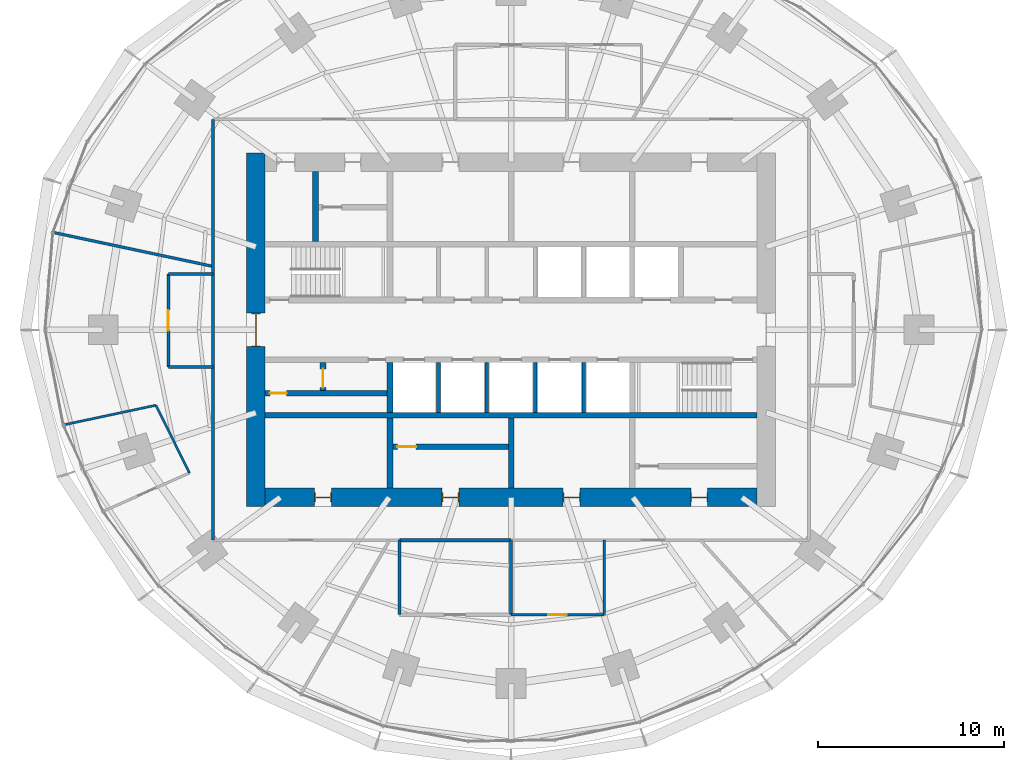
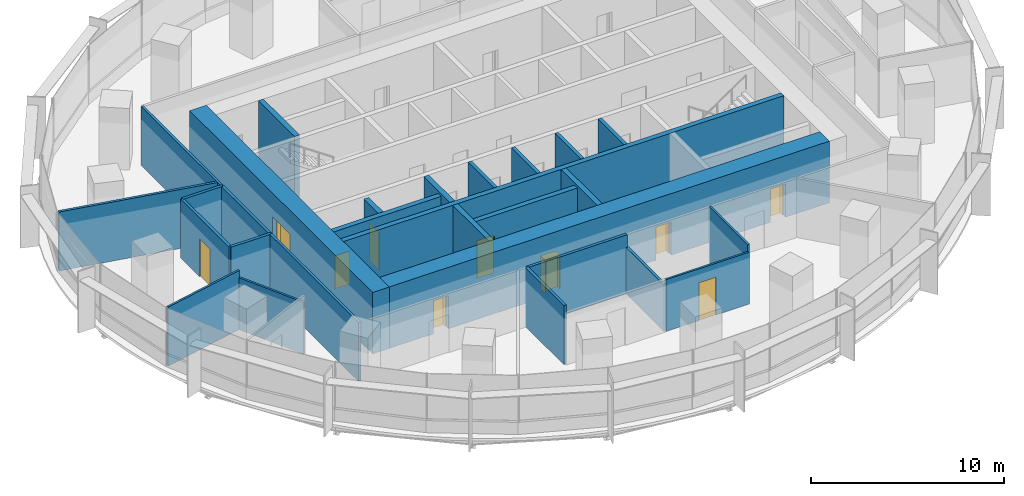
# One storey, part 10 of 14: 28 walls, 10 doors, 10 openings.
"""IFC4 building model written with IfcOpenShell, lengths in metres."""

from ifc_helpers import new_model, si_unit, direction, frame, frame_2d, origin, place, context, subcontext, project, spatial, rectangle, extrude, material, layer, layer_set, type_object, element, fill, save


model = new_model("IFC4")

# Units and contexts
model_context = context("Model", 3, precision=1e-05, world=origin(), true_north=direction((0.0, 1.0)))
body_context = subcontext(model_context, "Body", "Model", "MODEL_VIEW")
ifc_project = project(units=[si_unit("LENGTHUNIT", "METRE"), si_unit("AREAUNIT", "SQUARE_METRE"), si_unit("VOLUMEUNIT", "CUBIC_METRE"), si_unit("PLANEANGLEUNIT", "RADIAN"), si_unit("MASSUNIT", "GRAM", prefix="KILO")], contexts=[model_context])

# Site, building, storey
site_placement = place(None, origin())
site = spatial("IfcSite", under=ifc_project, at=site_placement, CompositionType="ELEMENT")
building_placement = place(site_placement, origin())
building = spatial("IfcBuilding", under=site, at=building_placement, Name="Marramba Exchange Tower", CompositionType="ELEMENT")
storey_placement = place(building_placement, frame((0.0, 0.0, 119.699951171875)))
storey = spatial("IfcBuildingStorey", under=building, at=storey_placement, Name="L28", CompositionType="ELEMENT", Elevation=119.699951171875)

# Walls
ifc_material_1 = material(Name="Plasterboard on staggered double steel studs, acoustic insulation", Category="steel")
ifc_layer_1 = layer(ifc_material_1, 0.169921875)
ifc_layer_set_1 = layer_set([ifc_layer_1], Name="Acoustic partition 170")
wall_type_1 = type_object("IfcWallType", Name="Acoustic partition 170", PredefinedType="PARTITIONING", material=ifc_layer_set_1)
wall_1_placement = place(storey_placement, frame((-18.39990234375, -2.0, 0.0), z_axis=(0.0, 0.0, 1.0), x_axis=(1.0, 0.0, 0.0)))
element("IfcWall", 1, at=wall_1_placement, inside=storey, type_object=wall_type_1, Name="Acoustic partition L28 01", PredefinedType="PARTITIONING", context=body_context, shape_type="SweptSolid", body=[
    extrude(rectangle(XDim=2.39990234375, YDim=0.169921875, at=frame_2d((1.199951171875, 0.0))), origin(), (0.0, 0.0, 1.0), 3.739990234375),
])
wall_2_placement = place(storey_placement, frame((-6.0, -11.300048828125, 0.0), z_axis=(0.0, 0.0, 1.0), x_axis=(0.0, -1.0, 0.0)))
element("IfcWall", 2, at=wall_2_placement, inside=storey, type_object=wall_type_1, Name="Acoustic partition L28 08", PredefinedType="PARTITIONING", context=body_context, shape_type="SweptSolid", body=[
    extrude(rectangle(XDim=4.0, YDim=0.169921875, at=frame_2d((2.0, 0.0))), origin(), (0.0, 0.0, 1.0), 3.739990234375),
])
wall_3_placement = place(storey_placement, frame((0.0, -11.300048828125, 0.0), z_axis=(0.0, 0.0, 1.0), x_axis=(-1.0, 0.0, 0.0)))
element("IfcWall", 3, at=wall_3_placement, inside=storey, type_object=wall_type_1, Name="Acoustic partition L28 09", PredefinedType="PARTITIONING", context=body_context, shape_type="SweptSolid", body=[
    extrude(rectangle(XDim=6.0, YDim=0.169921875, at=frame_2d((3.0, 0.0))), origin(), (0.0, 0.0, 1.0), 3.739990234375),
])
wall_4_placement = place(storey_placement, frame((0.0, -11.300048828125, 0.0), z_axis=(0.0, 0.0, 1.0), x_axis=(0.0, -1.0, 0.0)))
element("IfcWall", 4, at=wall_4_placement, inside=storey, type_object=wall_type_1, Name="Acoustic partition L28 11", PredefinedType="PARTITIONING", context=body_context, shape_type="SweptSolid", body=[
    extrude(rectangle(XDim=4.0, YDim=0.169921875, at=frame_2d((2.0, 0.0))), origin(), (0.0, 0.0, 1.0), 2.93994140625),
])
wall_5_placement = place(storey_placement, frame((-16.0, 3.0, 0.0), z_axis=(0.0, 0.0, 1.0), x_axis=(-1.0, 0.0, 0.0)))
element("IfcWall", 5, at=wall_5_placement, inside=storey, type_object=wall_type_1, Name="Acoustic partition L28 36", PredefinedType="PARTITIONING", context=body_context, shape_type="SweptSolid", body=[
    extrude(rectangle(XDim=2.39990234375, YDim=0.169921875, at=frame_2d((1.199951171875, 0.0))), origin(), (0.0, 0.0, 1.0), 3.739990234375),
])
wall_6_placement = place(storey_placement, frame((-16.0, -2.0, 0.0), z_axis=(0.0, 0.0, 1.0), x_axis=(0.0, 1.0, 0.0)))
element("IfcWall", 6, at=wall_6_placement, inside=storey, type_object=wall_type_1, Name="Acoustic partition L28 37", PredefinedType="PARTITIONING", context=body_context, shape_type="SweptSolid", body=[
    extrude(rectangle(XDim=5.0, YDim=0.169921875, at=frame_2d((2.5, 0.0))), origin(), (0.0, 0.0, 1.0), 3.739990234375),
])

# Wall, opening, door
wall_7_placement = place(storey_placement, frame((-18.39990234375, 3.0, 0.0), z_axis=(0.0, 0.0, 1.0), x_axis=(0.0, -1.0, 0.0)))
wall_7 = element("IfcWall", 7, at=wall_7_placement, inside=storey, type_object=wall_type_1, Name="Acoustic partition L28 38", PredefinedType="PARTITIONING", context=body_context, shape_type="SweptSolid", body=[
    extrude(rectangle(XDim=5.0, YDim=0.169921875, at=frame_2d((2.5, 0.0))), origin(), (0.0, 0.0, 1.0), 3.739990234375),
])
opening_1_placement = place(wall_7_placement, frame((1.949951171875, 0.0, 0.0)))
opening_1 = element("IfcOpeningElement", 8, at=opening_1_placement, cuts=wall_7, Name="Opening D15", PredefinedType="OPENING", context=body_context, shape_type="SweptSolid", body=[
    extrude(rectangle(XDim=1.10009765625, YDim=2.39990234375, at=frame_2d((0.550048828125, 1.199951171875))), frame((0.0, 0.094970703125, 0.0), z_axis=(0.0, -1.0, 0.0), x_axis=(1.0, 0.0, 0.0)), (0.0, 0.0, 1.0), 0.18994140625),
])
ifc_material_2 = material(Name="Timber door", Category="wood")
door_type_1 = type_object("IfcDoorType", Name="Glazed meeting room door 1100x2400", OperationType="SINGLE_SWING_LEFT", PredefinedType="DOOR", material=ifc_material_2)
door_1_placement = place(opening_1_placement, origin())
door_1 = element("IfcDoor", 9, at=door_1_placement, inside=storey, type_object=door_type_1, Name="D15 Meeting Room 3 L28", OperationType="SINGLE_SWING_RIGHT", OverallHeight=2.39990234375, OverallWidth=1.10009765625, PredefinedType="DOOR", context=body_context, shape_type="SweptSolid", body=[
    extrude(rectangle(XDim=1.10009765625, YDim=2.39990234375, at=frame_2d((0.550048828125, 1.199951171875))), frame((0.0, 0.02490234375, 0.0), z_axis=(0.0, -1.0, 0.0), x_axis=(1.0, 0.0, 0.0)), (0.0, 0.0, 1.0), 0.050048828125),
])
fill(opening_1, door_1)

# Walls
ifc_material_3 = material(Name="Concrete N50", Category="concrete")
ifc_layer_2 = layer(ifc_material_3, 0.199951171875)
ifc_layer_set_2 = layer_set([ifc_layer_2], Name="Core shaft wall 200")
wall_type_2 = type_object("IfcWallType", Name="Core shaft wall 200", PredefinedType="SHEAR", material=ifc_layer_set_2)
for number, where, z_axis, x_axis, name in (
    (10, (-3.89990234375, -1.75, 0.0), (0.0, 0.0, 1.0), (0.0, -1.0, 0.0), "Core wall SHS1 L28"),
    (11, (-1.300048828125, -1.75, 0.0), (0.0, 0.0, 1.0), (0.0, -1.0, 0.0), "Core wall SHS2 L28"),
    (12, (1.300048828125, -1.75, 0.0), (0.0, 0.0, 1.0), (0.0, -1.0, 0.0), "Core wall SHS3 L28"),
    (13, (3.89990234375, -1.75, 0.0), (0.0, 0.0, 1.0), (0.0, -1.0, 0.0), "Core wall SHS4 L28"),
):
    element("IfcWall", number, at=place(storey_placement, frame(where, z_axis=z_axis, x_axis=x_axis)), inside=storey, type_object=wall_type_2, Name=name, PredefinedType="SHEAR", context=body_context, shape_type="SweptSolid", body=[
        extrude(rectangle(XDim=2.699951171875, YDim=0.199951171875, at=frame_2d((1.35009765625, 0.0))), origin(), (0.0, 0.0, 1.0), 3.900146484375),
    ])

# Wall, openings, doors
ifc_layer_3 = layer(ifc_material_3, 1.0)
ifc_layer_set_3 = layer_set([ifc_layer_3], Name="Core wall 1000")
wall_type_3 = type_object("IfcWallType", Name="Core wall 1000", PredefinedType="SHEAR", material=ifc_layer_set_3)
wall_8_placement = place(storey_placement, frame((-13.199951171875, -9.0, 0.0), z_axis=(0.0, 0.0, 1.0), x_axis=(1.0, 0.0, 0.0)))
wall_8 = element("IfcWall", 14, at=wall_8_placement, inside=storey, type_object=wall_type_3, Name="Core wall S L28", PredefinedType="SHEAR", context=body_context, shape_type="SweptSolid", body=[
    extrude(rectangle(XDim=26.39990234375, YDim=1.0, at=frame_2d((13.199951171875, 0.0))), origin(), (0.0, 0.0, 1.0), 3.900146484375),
])
opening_2_placement = place(wall_8_placement, frame((2.64990234375, 0.0, 0.0)))
opening_2 = element("IfcOpeningElement", 15, at=opening_2_placement, cuts=wall_8, Name="Opening D5", PredefinedType="OPENING", context=body_context, shape_type="SweptSolid", body=[
    extrude(rectangle(XDim=0.89990234375, YDim=2.10009765625, at=frame_2d((0.449951171875, 1.050048828125))), frame((0.0, 0.510009765625, 0.0), z_axis=(0.0, -1.0, 0.0), x_axis=(1.0, 0.0, 0.0)), (0.0, 0.0, 1.0), 1.02001953125),
])
opening_3_placement = place(wall_8_placement, frame((9.5, 0.0, 0.0)))
opening_3 = element("IfcOpeningElement", 16, at=opening_3_placement, cuts=wall_8, Name="Opening D5", PredefinedType="OPENING", context=body_context, shape_type="SweptSolid", body=[
    extrude(rectangle(XDim=0.89990234375, YDim=2.10009765625, at=frame_2d((0.449951171875, 1.050048828125))), frame((0.0, 0.510009765625, 0.0), z_axis=(0.0, -1.0, 0.0), x_axis=(1.0, 0.0, 0.0)), (0.0, 0.0, 1.0), 1.02001953125),
])
opening_4_placement = place(wall_8_placement, frame((16.0, 0.0, 0.0)))
opening_4 = element("IfcOpeningElement", 17, at=opening_4_placement, cuts=wall_8, Name="Opening D5", PredefinedType="OPENING", context=body_context, shape_type="SweptSolid", body=[
    extrude(rectangle(XDim=0.89990234375, YDim=2.10009765625, at=frame_2d((0.449951171875, 1.050048828125))), frame((0.0, 0.510009765625, 0.0), z_axis=(0.0, -1.0, 0.0), x_axis=(1.0, 0.0, 0.0)), (0.0, 0.0, 1.0), 1.02001953125),
])
opening_5_placement = place(wall_8_placement, frame((22.85009765625, 0.0, 0.0)))
opening_5 = element("IfcOpeningElement", 18, at=opening_5_placement, cuts=wall_8, Name="Opening D5", PredefinedType="OPENING", context=body_context, shape_type="SweptSolid", body=[
    extrude(rectangle(XDim=0.89990234375, YDim=2.10009765625, at=frame_2d((0.449951171875, 1.050048828125))), frame((0.0, 0.510009765625, 0.0), z_axis=(0.0, -1.0, 0.0), x_axis=(1.0, 0.0, 0.0)), (0.0, 0.0, 1.0), 1.02001953125),
])
ifc_material_4 = material(Name="Steel-framed door", Category="steel")
door_type_2 = type_object("IfcDoorType", Name="Service door 900x2100", OperationType="SINGLE_SWING_LEFT", PredefinedType="DOOR", material=ifc_material_4)
door_2_placement = place(opening_2_placement, origin())
door_2 = element("IfcDoor", 19, at=door_2_placement, inside=storey, type_object=door_type_2, Name="D5 ahu L28", OperationType="SINGLE_SWING_LEFT", OverallHeight=2.10009765625, OverallWidth=0.89990234375, PredefinedType="DOOR", context=body_context, shape_type="SweptSolid", body=[
    extrude(rectangle(XDim=0.81982421875, YDim=2.06005859375, at=frame_2d((0.449951171875, 1.030029296875))), frame((0.0, 0.02490234375, 0.0), z_axis=(0.0, -1.0, 0.0), x_axis=(1.0, 0.0, 0.0)), (0.0, 0.0, 1.0), 0.050048828125),
    extrude(rectangle(XDim=0.04, YDim=2.10009765625, at=frame_2d((0.02001953125, 1.050048828125))), frame((0.0, 0.25, 0.0), z_axis=(0.0, -1.0, 0.0), x_axis=(1.0, 0.0, 0.0)), (0.0, 0.0, 1.0), 0.5),
    extrude(rectangle(XDim=0.04, YDim=2.10009765625, at=frame_2d((0.8798828125, 1.050048828125))), frame((0.0, 0.25, 0.0), z_axis=(0.0, -1.0, 0.0), x_axis=(1.0, 0.0, 0.0)), (0.0, 0.0, 1.0), 0.5),
    extrude(rectangle(XDim=0.81982421875, YDim=0.04, at=frame_2d((0.449951171875, 2.080078125))), frame((0.0, 0.25, 0.0), z_axis=(0.0, -1.0, 0.0), x_axis=(1.0, 0.0, 0.0)), (0.0, 0.0, 1.0), 0.5),
])
fill(opening_2, door_2)
door_3_placement = place(opening_3_placement, origin())
door_3 = element("IfcDoor", 20, at=door_3_placement, inside=storey, type_object=door_type_2, Name="D5 store L28", OperationType="SINGLE_SWING_RIGHT", OverallHeight=2.10009765625, OverallWidth=0.89990234375, PredefinedType="DOOR", context=body_context, shape_type="SweptSolid", body=[
    extrude(rectangle(XDim=0.81982421875, YDim=2.06005859375, at=frame_2d((0.449951171875, 1.030029296875))), frame((0.0, 0.02490234375, 0.0), z_axis=(0.0, -1.0, 0.0), x_axis=(1.0, 0.0, 0.0)), (0.0, 0.0, 1.0), 0.050048828125),
    extrude(rectangle(XDim=0.04, YDim=2.10009765625, at=frame_2d((0.02001953125, 1.050048828125))), frame((0.0, 0.25, 0.0), z_axis=(0.0, -1.0, 0.0), x_axis=(1.0, 0.0, 0.0)), (0.0, 0.0, 1.0), 0.5),
    extrude(rectangle(XDim=0.04, YDim=2.10009765625, at=frame_2d((0.8798828125, 1.050048828125))), frame((0.0, 0.25, 0.0), z_axis=(0.0, -1.0, 0.0), x_axis=(1.0, 0.0, 0.0)), (0.0, 0.0, 1.0), 0.5),
    extrude(rectangle(XDim=0.81982421875, YDim=0.04, at=frame_2d((0.449951171875, 2.080078125))), frame((0.0, 0.25, 0.0), z_axis=(0.0, -1.0, 0.0), x_axis=(1.0, 0.0, 0.0)), (0.0, 0.0, 1.0), 0.5),
])
fill(opening_3, door_3)
door_4_placement = place(opening_4_placement, origin())
door_4 = element("IfcDoor", 21, at=door_4_placement, inside=storey, type_object=door_type_2, Name="D5 switch L28", OperationType="SINGLE_SWING_RIGHT", OverallHeight=2.10009765625, OverallWidth=0.89990234375, PredefinedType="DOOR", context=body_context, shape_type="SweptSolid", body=[
    extrude(rectangle(XDim=0.81982421875, YDim=2.06005859375, at=frame_2d((0.449951171875, 1.030029296875))), frame((0.0, 0.02490234375, 0.0), z_axis=(0.0, -1.0, 0.0), x_axis=(1.0, 0.0, 0.0)), (0.0, 0.0, 1.0), 0.050048828125),
    extrude(rectangle(XDim=0.04, YDim=2.10009765625, at=frame_2d((0.02001953125, 1.050048828125))), frame((0.0, 0.25, 0.0), z_axis=(0.0, -1.0, 0.0), x_axis=(1.0, 0.0, 0.0)), (0.0, 0.0, 1.0), 0.5),
    extrude(rectangle(XDim=0.04, YDim=2.10009765625, at=frame_2d((0.8798828125, 1.050048828125))), frame((0.0, 0.25, 0.0), z_axis=(0.0, -1.0, 0.0), x_axis=(1.0, 0.0, 0.0)), (0.0, 0.0, 1.0), 0.5),
    extrude(rectangle(XDim=0.81982421875, YDim=0.04, at=frame_2d((0.449951171875, 2.080078125))), frame((0.0, 0.25, 0.0), z_axis=(0.0, -1.0, 0.0), x_axis=(1.0, 0.0, 0.0)), (0.0, 0.0, 1.0), 0.5),
])
fill(opening_4, door_4)
door_5_placement = place(opening_5_placement, origin())
door_5 = element("IfcDoor", 22, at=door_5_placement, inside=storey, type_object=door_type_2, Name="D5 cstore L28", OperationType="SINGLE_SWING_RIGHT", OverallHeight=2.10009765625, OverallWidth=0.89990234375, PredefinedType="DOOR", context=body_context, shape_type="SweptSolid", body=[
    extrude(rectangle(XDim=0.81982421875, YDim=2.06005859375, at=frame_2d((0.449951171875, 1.030029296875))), frame((0.0, 0.02490234375, 0.0), z_axis=(0.0, -1.0, 0.0), x_axis=(1.0, 0.0, 0.0)), (0.0, 0.0, 1.0), 0.050048828125),
    extrude(rectangle(XDim=0.04, YDim=2.10009765625, at=frame_2d((0.02001953125, 1.050048828125))), frame((0.0, 0.25, 0.0), z_axis=(0.0, -1.0, 0.0), x_axis=(1.0, 0.0, 0.0)), (0.0, 0.0, 1.0), 0.5),
    extrude(rectangle(XDim=0.04, YDim=2.10009765625, at=frame_2d((0.8798828125, 1.050048828125))), frame((0.0, 0.25, 0.0), z_axis=(0.0, -1.0, 0.0), x_axis=(1.0, 0.0, 0.0)), (0.0, 0.0, 1.0), 0.5),
    extrude(rectangle(XDim=0.81982421875, YDim=0.04, at=frame_2d((0.449951171875, 2.080078125))), frame((0.0, 0.25, 0.0), z_axis=(0.0, -1.0, 0.0), x_axis=(1.0, 0.0, 0.0)), (0.0, 0.0, 1.0), 0.5),
])
fill(opening_5, door_5)

# Wall, opening, door
wall_9_placement = place(storey_placement, frame((-13.699951171875, 9.5, 0.0), z_axis=(0.0, 0.0, 1.0), x_axis=(0.0, -1.0, 0.0)))
wall_9 = element("IfcWall", 23, at=wall_9_placement, inside=storey, type_object=wall_type_3, Name="Core wall W L28", PredefinedType="SHEAR", context=body_context, shape_type="SweptSolid", body=[
    extrude(rectangle(XDim=19.0, YDim=1.0, at=frame_2d((9.5, 0.0))), origin(), (0.0, 0.0, 1.0), 3.900146484375),
])
opening_6_placement = place(wall_9_placement, frame((8.60009765625, 0.0, 0.0)))
opening_6 = element("IfcOpeningElement", 24, at=opening_6_placement, cuts=wall_9, Name="Opening D1", PredefinedType="OPENING", context=body_context, shape_type="SweptSolid", body=[
    extrude(rectangle(XDim=1.800048828125, YDim=2.39990234375, at=frame_2d((0.89990234375, 1.199951171875))), frame((0.0, 0.510009765625, 0.0), z_axis=(0.0, -1.0, 0.0), x_axis=(1.0, 0.0, 0.0)), (0.0, 0.0, 1.0), 1.02001953125),
])
door_type_3 = type_object("IfcDoorType", Name="Lobby exit door 1800x2400", OperationType="DOUBLE_DOOR_SINGLE_SWING", PredefinedType="DOOR", material=ifc_material_4)
door_6_placement = place(opening_6_placement, origin())
door_6 = element("IfcDoor", 25, at=door_6_placement, inside=storey, type_object=door_type_3, Name="D1 lobby exit west L28", OperationType="DOUBLE_DOOR_SINGLE_SWING", OverallHeight=2.39990234375, OverallWidth=1.800048828125, PredefinedType="DOOR", context=body_context, shape_type="SweptSolid", body=[
    extrude(rectangle(XDim=1.719970703125, YDim=2.35986328125, at=frame_2d((0.89990234375, 1.179931640625))), frame((0.0, 0.02490234375, 0.0), z_axis=(0.0, -1.0, 0.0), x_axis=(1.0, 0.0, 0.0)), (0.0, 0.0, 1.0), 0.050048828125),
    extrude(rectangle(XDim=0.04, YDim=2.39990234375, at=frame_2d((0.02001953125, 1.199951171875))), frame((0.0, 0.25, 0.0), z_axis=(0.0, -1.0, 0.0), x_axis=(1.0, 0.0, 0.0)), (0.0, 0.0, 1.0), 0.5),
    extrude(rectangle(XDim=0.04, YDim=2.39990234375, at=frame_2d((1.780029296875, 1.199951171875))), frame((0.0, 0.25, 0.0), z_axis=(0.0, -1.0, 0.0), x_axis=(1.0, 0.0, 0.0)), (0.0, 0.0, 1.0), 0.5),
    extrude(rectangle(XDim=1.719970703125, YDim=0.04, at=frame_2d((0.89990234375, 2.3798828125))), frame((0.0, 0.25, 0.0), z_axis=(0.0, -1.0, 0.0), x_axis=(1.0, 0.0, 0.0)), (0.0, 0.0, 1.0), 0.5),
])
fill(opening_6, door_6)

# Walls
ifc_layer_4 = layer(ifc_material_3, 0.300048828125)
ifc_layer_set_4 = layer_set([ifc_layer_4], Name="Core wall 300")
wall_type_4 = type_object("IfcWallType", Name="Core wall 300", PredefinedType="SHEAR", material=ifc_layer_set_4)
wall_10_placement = place(storey_placement, frame((-13.199951171875, -4.60009765625, 0.0), z_axis=(0.0, 0.0, 1.0), x_axis=(1.0, 0.0, 0.0)))
element("IfcWall", 26, at=wall_10_placement, inside=storey, type_object=wall_type_4, Name="Core wall BS L28", PredefinedType="SHEAR", context=body_context, shape_type="SweptSolid", body=[
    extrude(rectangle(XDim=26.39990234375, YDim=0.300048828125, at=frame_2d((13.199951171875, 0.0))), origin(), (0.0, 0.0, 1.0), 3.900146484375),
])
wall_11_placement = place(storey_placement, frame((-6.5, -1.75, 0.0), z_axis=(0.0, 0.0, 1.0), x_axis=(0.0, -1.0, 0.0)))
element("IfcWall", 27, at=wall_11_placement, inside=storey, type_object=wall_type_4, Name="Core wall X0Sa L28", PredefinedType="SHEAR", context=body_context, shape_type="SweptSolid", body=[
    extrude(rectangle(XDim=2.699951171875, YDim=0.300048828125, at=frame_2d((1.35009765625, 0.0))), origin(), (0.0, 0.0, 1.0), 3.900146484375),
])
for number, where, z_axis, x_axis, name in (
    (28, (-6.5, -4.75, 0.0), (0.0, 0.0, 1.0), (0.0, -1.0, 0.0), "Core wall X0Sb L28"),
    (29, (0.0, -4.75, 0.0), (0.0, 0.0, 1.0), (0.0, -1.0, 0.0), "Core wall MS L28"),
    (30, (-10.5, 4.75, 0.0), (0.0, 0.0, 1.0), (0.0, 1.0, 0.0), "Core wall WD L28"),
):
    element("IfcWall", number, at=place(storey_placement, frame(where, z_axis=z_axis, x_axis=x_axis)), inside=storey, type_object=wall_type_4, Name=name, PredefinedType="SHEAR", context=body_context, shape_type="SweptSolid", body=[
        extrude(rectangle(XDim=3.75, YDim=0.300048828125, at=frame_2d((1.875, 0.0))), origin(), (0.0, 0.0, 1.0), 3.900146484375),
    ])
ifc_material_5 = material(Name="Plasterboard on steel studs", Category="steel")
ifc_layer_5 = layer(ifc_material_5, 0.1201171875)
ifc_layer_set_5 = layer_set([ifc_layer_5], Name="Partition 120")
wall_type_5 = type_object("IfcWallType", Name="Partition 120", PredefinedType="PARTITIONING", material=ifc_layer_set_5)
wall_12_placement = place(storey_placement, frame((-19.069580078125, -4.053466796875, 0.0), z_axis=(0.0, 0.0, 1.0), x_axis=(-0.978149046495, -0.207904888932, 0.0)))
element("IfcWall", 31, at=wall_12_placement, inside=storey, type_object=wall_type_5, Name="Partition L28 02", PredefinedType="PARTITIONING", context=body_context, shape_type="SweptSolid", body=[
    extrude(rectangle(XDim=5.000244140625, YDim=0.1201171875, at=frame_2d((2.5, 0.0))), origin(), (0.0, 0.0, 1.0), 3.739990234375),
])
wall_13_placement = place(storey_placement, frame((-17.268310546875, -7.6884765625, 0.0), z_axis=(0.0, 0.0, 1.0), x_axis=(-0.444009146511, 0.896022252968, 0.0)))
element("IfcWall", 32, at=wall_13_placement, inside=storey, type_object=wall_type_5, Name="Partition L28 03", PredefinedType="PARTITIONING", context=body_context, shape_type="SweptSolid", body=[
    extrude(rectangle(XDim=4.056884765625, YDim=0.1201171875, at=frame_2d((2.0283203125, 0.0))), origin(), (0.0, 0.0, 1.0), 3.2861328125),
])

# Wall, opening, door
wall_14_placement = place(storey_placement, frame((0.0, -15.300048828125, 0.0), z_axis=(0.0, 0.0, 1.0), x_axis=(1.0, 0.0, 0.0)))
wall_14 = element("IfcWall", 33, at=wall_14_placement, inside=storey, type_object=wall_type_5, Name="Partition L28 12", PredefinedType="PARTITIONING", context=body_context, shape_type="SweptSolid", body=[
    extrude(rectangle(XDim=5.0, YDim=0.1201171875, at=frame_2d((2.5, 0.0))), origin(), (0.0, 0.0, 1.0), 3.2861328125),
])
opening_7_placement = place(wall_14_placement, frame((2.0, 0.0, 0.0)))
opening_7 = element("IfcOpeningElement", 34, at=opening_7_placement, cuts=wall_14, Name="Opening D9", PredefinedType="OPENING", context=body_context, shape_type="SweptSolid", body=[
    extrude(rectangle(XDim=1.0, YDim=2.39990234375, at=frame_2d((0.5, 1.199951171875))), frame((0.0, 0.070068359375, 0.0), z_axis=(0.0, -1.0, 0.0), x_axis=(1.0, 0.0, 0.0)), (0.0, 0.0, 1.0), 0.14013671875),
])
door_type_4 = type_object("IfcDoorType", Name="Room door 1000x2400", OperationType="SINGLE_SWING_LEFT", PredefinedType="DOOR", material=ifc_material_2)
door_7_placement = place(opening_7_placement, origin())
door_7 = element("IfcDoor", 35, at=door_7_placement, inside=storey, type_object=door_type_4, Name="D9 Pantry 2 L28", OperationType="SINGLE_SWING_RIGHT", OverallHeight=2.39990234375, OverallWidth=1.0, PredefinedType="DOOR", context=body_context, shape_type="SweptSolid", body=[
    extrude(rectangle(XDim=1.0, YDim=2.39990234375, at=frame_2d((0.5, 1.199951171875))), frame((0.0, 0.02490234375, 0.0), z_axis=(0.0, -1.0, 0.0), x_axis=(1.0, 0.0, 0.0)), (0.0, 0.0, 1.0), 0.050048828125),
])
fill(opening_7, door_7)

# Wall
wall_15_placement = place(storey_placement, frame((5.0, -15.300048828125, 0.0), z_axis=(0.0, 0.0, 1.0), x_axis=(0.0, 1.0, 0.0)))
element("IfcWall", 36, at=wall_15_placement, inside=storey, type_object=wall_type_5, Name="Partition L28 13", PredefinedType="PARTITIONING", context=body_context, shape_type="SweptSolid", body=[
    extrude(rectangle(XDim=4.0, YDim=0.1201171875, at=frame_2d((2.0, 0.0))), origin(), (0.0, 0.0, 1.0), 3.739990234375),
])

# Wall, opening, door
ifc_material_6 = material(Name="Core-filled concrete blockwork", Category="masonry")
ifc_layer_6 = layer(ifc_material_6, 0.300048828125)
ifc_layer_set_6 = layer_set([ifc_layer_6], Name="Riser enclosure wall 300")
wall_type_6 = type_object("IfcWallType", Name="Riser enclosure wall 300", PredefinedType="SOLIDWALL", material=ifc_layer_set_6)
wall_16_placement = place(storey_placement, frame((-13.199951171875, -3.39990234375, 0.0), z_axis=(0.0, 0.0, 1.0), x_axis=(1.0, 0.0, 0.0)))
wall_16 = element("IfcWall", 37, at=wall_16_placement, inside=storey, type_object=wall_type_6, Name="Riser enclosure wall L28", PredefinedType="SOLIDWALL", context=body_context, shape_type="SweptSolid", body=[
    extrude(rectangle(XDim=6.550048828125, YDim=0.300048828125, at=frame_2d((3.27490234375, 0.0))), origin(), (0.0, 0.0, 1.0), 3.739990234375),
])
opening_8_placement = place(wall_16_placement, frame((0.25, 0.0, 0.0)))
opening_8 = element("IfcOpeningElement", 38, at=opening_8_placement, cuts=wall_16, Name="Opening D5", PredefinedType="OPENING", context=body_context, shape_type="SweptSolid", body=[
    extrude(rectangle(XDim=0.89990234375, YDim=2.10009765625, at=frame_2d((0.449951171875, 1.050048828125))), frame((0.0, 0.159912109375, 0.0), z_axis=(0.0, -1.0, 0.0), x_axis=(1.0, 0.0, 0.0)), (0.0, 0.0, 1.0), 0.320068359375),
])
door_8_placement = place(opening_8_placement, origin())
door_8 = element("IfcDoor", 39, at=door_8_placement, inside=storey, type_object=door_type_2, Name="D5 electrical riser back L28", OperationType="SINGLE_SWING_LEFT", OverallHeight=2.10009765625, OverallWidth=0.89990234375, PredefinedType="DOOR", context=body_context, shape_type="SweptSolid", body=[
    extrude(rectangle(XDim=0.89990234375, YDim=2.10009765625, at=frame_2d((0.449951171875, 1.050048828125))), frame((0.0, 0.02490234375, 0.0), z_axis=(0.0, -1.0, 0.0), x_axis=(1.0, 0.0, 0.0)), (0.0, 0.0, 1.0), 0.050048828125),
])
fill(opening_8, door_8)

ifc_material_7 = material(Name="Plasterboard on steel studs, insulated, unrated", Category="steel")
ifc_layer_7 = layer(ifc_material_7, 0.300048828125)
ifc_layer_set_7 = layer_set([ifc_layer_7], Name="Store partition 300")
wall_type_7 = type_object("IfcWallType", Name="Store partition 300", PredefinedType="PARTITIONING", material=ifc_layer_set_7)
wall_17_placement = place(storey_placement, frame((-6.35009765625, -6.27197265625, 0.0), z_axis=(0.0, 0.0, 1.0), x_axis=(1.0, 0.0, 0.0)))
wall_17 = element("IfcWall", 40, at=wall_17_placement, inside=storey, type_object=wall_type_7, Name="Store partition L28 store", PredefinedType="PARTITIONING", context=body_context, shape_type="SweptSolid", body=[
    extrude(rectangle(XDim=6.2001953125, YDim=0.300048828125, at=frame_2d((3.10009765625, 0.0))), origin(), (0.0, 0.0, 1.0), 3.739990234375),
])
opening_9_placement = place(wall_17_placement, frame((0.25, 0.0, 0.0)))
opening_9 = element("IfcOpeningElement", 41, at=opening_9_placement, cuts=wall_17, Name="Opening D9", PredefinedType="OPENING", context=body_context, shape_type="SweptSolid", body=[
    extrude(rectangle(XDim=1.0, YDim=2.39990234375, at=frame_2d((0.5, 1.199951171875))), frame((0.0, 0.159912109375, 0.0), z_axis=(0.0, -1.0, 0.0), x_axis=(1.0, 0.0, 0.0)), (0.0, 0.0, 1.0), 0.320068359375),
])
door_9_placement = place(opening_9_placement, origin())
door_9 = element("IfcDoor", 42, at=door_9_placement, inside=storey, type_object=door_type_4, Name="D9 stationery store L28", OperationType="SINGLE_SWING_LEFT", OverallHeight=2.39990234375, OverallWidth=1.0, PredefinedType="DOOR", context=body_context, shape_type="SweptSolid", body=[
    extrude(rectangle(XDim=1.0, YDim=2.39990234375, at=frame_2d((0.5, 1.199951171875))), frame((0.0, 0.02490234375, 0.0), z_axis=(0.0, -1.0, 0.0), x_axis=(1.0, 0.0, 0.0)), (0.0, 0.0, 1.0), 0.050048828125),
])
fill(opening_9, door_9)

wall_18_placement = place(storey_placement, frame((-10.10009765625, -3.25, 0.0), z_axis=(0.0, 0.0, 1.0), x_axis=(0.0, 1.0, 0.0)))
wall_18 = element("IfcWall", 43, at=wall_18_placement, inside=storey, type_object=wall_type_7, Name="Store partition L28 tool store", PredefinedType="PARTITIONING", context=body_context, shape_type="SweptSolid", body=[
    extrude(rectangle(XDim=1.5, YDim=0.300048828125, at=frame_2d((0.75, 0.0))), origin(), (0.0, 0.0, 1.0), 3.739990234375),
])
opening_10_placement = place(wall_18_placement, frame((0.14990234375, 0.0, 0.0)))
opening_10 = element("IfcOpeningElement", 44, at=opening_10_placement, cuts=wall_18, Name="Opening D9", PredefinedType="OPENING", context=body_context, shape_type="SweptSolid", body=[
    extrude(rectangle(XDim=1.0, YDim=2.39990234375, at=frame_2d((0.5, 1.199951171875))), frame((0.0, 0.159912109375, 0.0), z_axis=(0.0, -1.0, 0.0), x_axis=(1.0, 0.0, 0.0)), (0.0, 0.0, 1.0), 0.320068359375),
])
door_10_placement = place(opening_10_placement, origin())
door_10 = element("IfcDoor", 45, at=door_10_placement, inside=storey, type_object=door_type_4, Name="D9 tool store L28", OperationType="SINGLE_SWING_LEFT", OverallHeight=2.39990234375, OverallWidth=1.0, PredefinedType="DOOR", context=body_context, shape_type="SweptSolid", body=[
    extrude(rectangle(XDim=1.0, YDim=2.39990234375, at=frame_2d((0.5, 1.199951171875))), frame((0.0, 0.02490234375, 0.0), z_axis=(0.0, -1.0, 0.0), x_axis=(1.0, 0.0, 0.0)), (0.0, 0.0, 1.0), 0.050048828125),
])
fill(opening_10, door_10)

# Walls
ifc_material_8 = material(Name="Fire-rated plasterboard on steel studs, acoustic insulation", Category="steel")
ifc_layer_8 = layer(ifc_material_8, 0.14990234375)
ifc_layer_set_8 = layer_set([ifc_layer_8], Name="Tenancy wall 150")
wall_type_8 = type_object("IfcWallType", Name="Tenancy wall 150", PredefinedType="PARTITIONING", material=ifc_layer_set_8)
wall_19_placement = place(storey_placement, frame((-16.0, -2.0, 0.0), z_axis=(0.0, 0.0, 1.0), x_axis=(0.0, -1.0, 0.0)))
element("IfcWall", 46, at=wall_19_placement, inside=storey, type_object=wall_type_8, Name="Tenancy wall L28 04", PredefinedType="PARTITIONING", context=body_context, shape_type="SweptSolid", body=[
    extrude(rectangle(XDim=9.300048828125, YDim=0.14990234375, at=frame_2d((4.64990234375, 0.0))), origin(), (0.0, 0.0, 1.0), 3.739990234375),
])
wall_20_placement = place(storey_placement, frame((-16.0, 11.300048828125, 0.0), z_axis=(0.0, 0.0, 1.0), x_axis=(0.0, -1.0, 0.0)))
element("IfcWall", 47, at=wall_20_placement, inside=storey, type_object=wall_type_8, Name="Tenancy wall L28 34", PredefinedType="PARTITIONING", context=body_context, shape_type="SweptSolid", body=[
    extrude(rectangle(XDim=8.300048828125, YDim=0.14990234375, at=frame_2d((4.14990234375, 0.0))), origin(), (0.0, 0.0, 1.0), 3.739990234375),
])
wall_21_placement = place(storey_placement, frame((-16.0, 3.40087890625, 0.0), z_axis=(0.0, 0.0, 1.0), x_axis=(-0.978149592602, 0.207902319596, 0.0)))
element("IfcWall", 48, at=wall_21_placement, inside=storey, type_object=wall_type_8, Name="Tenancy wall L28 35", PredefinedType="PARTITIONING", context=body_context, shape_type="SweptSolid", body=[
    extrude(rectangle(XDim=8.71337890625, YDim=0.14990234375, at=frame_2d((4.356689453125, 0.0))), origin(), (0.0, 0.0, 1.0), 3.739990234375),
])

save(model, "model.ifc")
